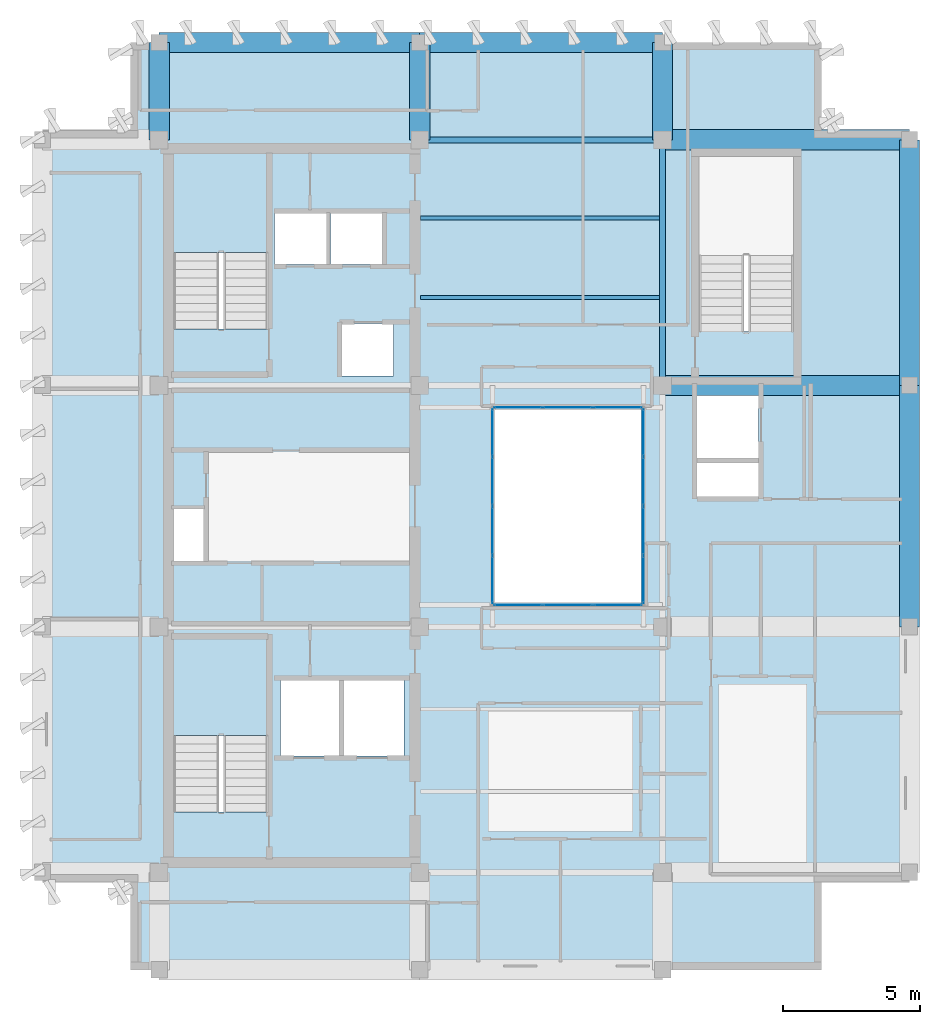
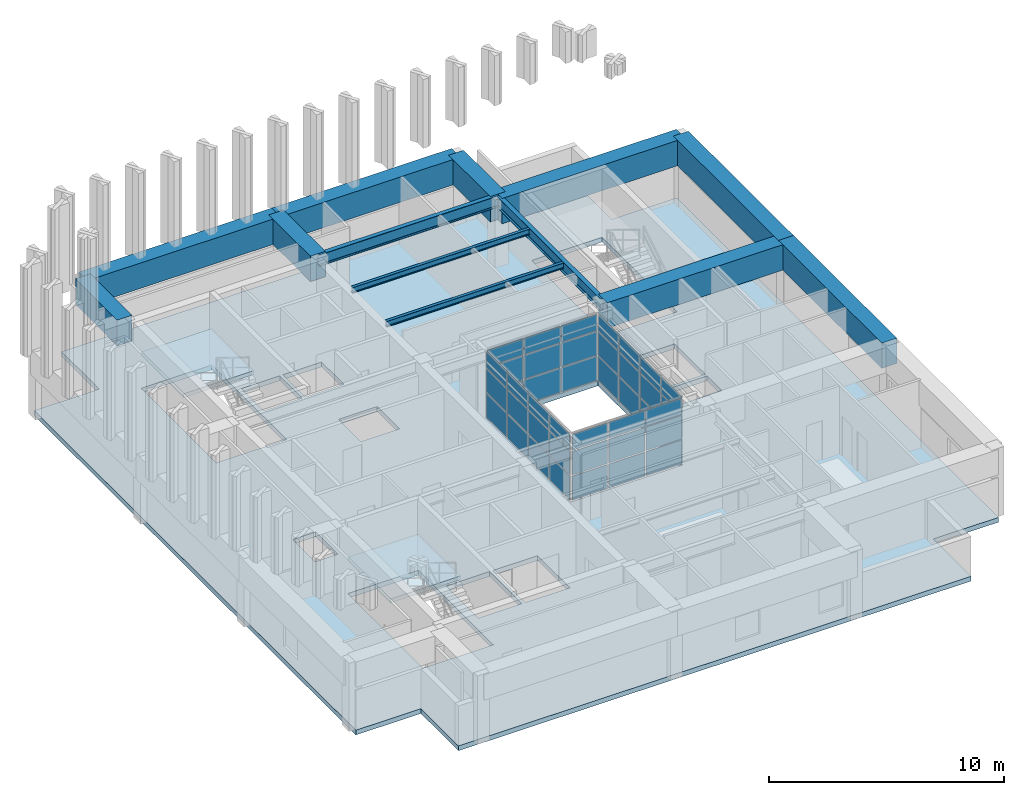
# One storey, part 5 of 11: 42 plates, 13 beams, 3 slabs, 6 elements without a shape of their own.
"""IFC4 building model written with IfcOpenShell, lengths in metres."""

from ifc_helpers import new_model, si_unit, direction, frame, origin, origin_2d, place, context, subcontext, project, spatial, polyline, rectangle, i_section, outline, extrude, material, layer, layer_set, material_profile, profile_set, type_object, element, aggregate, save


model = new_model("IFC4")

# Units and contexts
model_context = context("Model", 3, precision=1e-05, world=origin(), true_north=direction((0.0, 1.0)))
body_context = subcontext(model_context, "Body", "Model", "MODEL_VIEW")
ifc_project = project(units=[si_unit("LENGTHUNIT", "METRE"), si_unit("AREAUNIT", "SQUARE_METRE"), si_unit("VOLUMEUNIT", "CUBIC_METRE"), si_unit("PLANEANGLEUNIT", "RADIAN"), si_unit("MASSUNIT", "GRAM", prefix="KILO")], contexts=[model_context])

# Site, building, storey
site_placement = place(None, origin())
site = spatial("IfcSite", under=ifc_project, at=site_placement, CompositionType="ELEMENT")
building_placement = place(site_placement, origin())
building = spatial("IfcBuilding", under=site, at=building_placement, Name="Kundavana Baori Tower", CompositionType="ELEMENT")
storey_placement = place(building_placement, frame((0.0, 0.0, 346.699951171875)))
storey = spatial("IfcBuildingStorey", under=building, at=storey_placement, Name="L86", CompositionType="ELEMENT", Elevation=346.699951171875)

# Beams
ifc_material_1 = material(Name="Structural Steel S355JR", Category="steel")
ifc_material_profile_1 = material_profile(ifc_material_1, i_section(OverallWidth=0.139892578125, OverallDepth=0.300048828125, WebThickness=0.0078125, FlangeThickness=0.01318359375, FilletRadius=0.013916015625, at=origin_2d()), Name="ISMB 300")
ifc_profile_set_1 = profile_set([ifc_material_profile_1], Name="Structural Steel S355JR")
beam_type_1 = type_object("IfcBeamType", Name="BM-RF-300", PredefinedType="BEAM", material=ifc_profile_set_1)
for number, where, z_axis, x_axis, name in (
    (1, (24.97998046875, 36.199951171875, 3.400146484375), (1.0, 0.0, 0.0), (0.0, 1.0, 0.0), "L86 Central Bay Composite Floor Joist C3"),
    (2, (24.97998046875, 39.10009765625, 3.400146484375), (1.0, 0.0, 0.0), (0.0, 1.0, 0.0), "L86 Central Bay Composite Floor Joist C4"),
):
    element("IfcBeam", number, at=place(storey_placement, frame(where, z_axis=z_axis, x_axis=x_axis)), inside=storey, type_object=beam_type_1, Name=name, PredefinedType="BEAM", context=body_context, shape_type="SweptSolid", body=[
        extrude(i_section(OverallWidth=0.139892578125, OverallDepth=0.300048828125, WebThickness=0.0078125, FlangeThickness=0.01318359375, FilletRadius=0.013916015625, at=origin_2d()), origin(), (0.0, 0.0, 1.0), 8.715087890625),
    ])
ifc_material_2 = material(Name="Structural Steel S355JR", Category="steel")
ifc_material_profile_2 = material_profile(ifc_material_2, i_section(OverallWidth=0.2099609375, OverallDepth=0.60009765625, WebThickness=0.011962890625, FlangeThickness=0.020751953125, FilletRadius=0.02001953125, at=origin_2d()), Name="ISMB 600")
ifc_profile_set_2 = profile_set([ifc_material_profile_2], Name="Structural Steel S355JR")
beam_type_2 = type_object("IfcBeamType", Name="BM-ST-600", PredefinedType="BEAM", material=ifc_profile_set_2)
beam_1_placement = place(storey_placement, frame((24.949951171875, 41.949951171875, 3.25), z_axis=(1.0, 0.0, 0.0), x_axis=(0.0, 1.0, 0.0)))
element("IfcBeam", 3, at=beam_1_placement, inside=storey, type_object=beam_type_2, Name="L86 Primary Grid Girder GX-4-2", PredefinedType="BEAM", context=body_context, shape_type="SweptSolid", body=[
    extrude(i_section(OverallWidth=0.2099609375, OverallDepth=0.60009765625, WebThickness=0.011962890625, FlangeThickness=0.020751953125, FilletRadius=0.02001953125, at=origin_2d()), origin(), (0.0, 0.0, 1.0), 8.85009765625),
])
beam_2_placement = place(storey_placement, frame((33.800048828125, 33.0, 3.25), z_axis=(0.0, 1.0, 0.0), x_axis=(-1.0, 0.0, 0.0)))
element("IfcBeam", 4, at=beam_2_placement, inside=storey, type_object=beam_type_2, Name="L86 Primary Grid Girder GY-3-3", PredefinedType="BEAM", context=body_context, shape_type="SweptSolid", body=[
    extrude(i_section(OverallWidth=0.2099609375, OverallDepth=0.60009765625, WebThickness=0.011962890625, FlangeThickness=0.020751953125, FilletRadius=0.02001953125, at=origin_2d()), origin(), (0.0, 0.0, 1.0), 8.949951171875),
])
ifc_material_3 = material(Name="Concrete C50/60", Category="concrete")
ifc_material_profile_3 = material_profile(ifc_material_3, rectangle(XDim=0.739990234375, YDim=1.320068359375, at=origin_2d()), Name="BM-TG-5")
ifc_profile_set_3 = profile_set([ifc_material_profile_3], Name="Concrete C50/60")
beam_type_3 = type_object("IfcBeamType", Name="BM-TG-5", PredefinedType="USERDEFINED", material=ifc_profile_set_3)
beam_3_placement = place(storey_placement, frame((15.449951171875, 45.5, 2.89013671875), z_axis=(1.0, 0.0, 0.0), x_axis=(0.0, 1.0, 0.0)))
element("IfcBeam", 5, at=beam_3_placement, inside=storey, type_object=beam_type_3, Name="L86 Perimeter Frame Ring Beam N1", ObjectType="TRANSFER GIRDER", PredefinedType="USERDEFINED", context=body_context, shape_type="SweptSolid", body=[
    extrude(rectangle(XDim=0.739990234375, YDim=1.320068359375, at=origin_2d()), origin(), (0.0, 0.0, 1.0), 9.5),
])
beam_4_placement = place(storey_placement, frame((24.949951171875, 45.5, 2.89013671875), z_axis=(1.0, 0.0, 0.0), x_axis=(0.0, 1.0, 0.0)))
element("IfcBeam", 6, at=beam_4_placement, inside=storey, type_object=beam_type_3, Name="L86 Perimeter Frame Ring Beam N2", ObjectType="TRANSFER GIRDER", PredefinedType="USERDEFINED", context=body_context, shape_type="SweptSolid", body=[
    extrude(rectangle(XDim=0.739990234375, YDim=1.320068359375, at=origin_2d()), origin(), (0.0, 0.0, 1.0), 8.85009765625),
])
beam_5_placement = place(storey_placement, frame((42.800048828125, 24.199951171875, 2.89013671875), z_axis=(0.0, 1.0, 0.0), x_axis=(-1.0, 0.0, 0.0)))
element("IfcBeam", 7, at=beam_5_placement, inside=storey, type_object=beam_type_3, Name="L86 Perimeter Frame Ring Beam E2", ObjectType="TRANSFER GIRDER", PredefinedType="USERDEFINED", context=body_context, shape_type="SweptSolid", body=[
    extrude(rectangle(XDim=0.739990234375, YDim=1.320068359375, at=origin_2d()), origin(), (0.0, 0.0, 1.0), 8.800048828125),
])
beam_6_placement = place(storey_placement, frame((42.800048828125, 33.0, 2.89013671875), z_axis=(0.0, 1.0, 0.0), x_axis=(-1.0, 0.0, 0.0)))
element("IfcBeam", 8, at=beam_6_placement, inside=storey, type_object=beam_type_3, Name="L86 Perimeter Frame Ring Beam E3", ObjectType="TRANSFER GIRDER", PredefinedType="USERDEFINED", context=body_context, shape_type="SweptSolid", body=[
    extrude(rectangle(XDim=0.739990234375, YDim=1.320068359375, at=origin_2d()), origin(), (0.0, 0.0, 1.0), 8.949951171875),
])
for number, where, z_axis, x_axis, name in (
    (9, (15.449951171875, 41.949951171875, 2.89013671875), (0.0, 1.0, 0.0), (-1.0, 0.0, 0.0), "L86 North Radial Transfer Girder N1"),
    (10, (24.949951171875, 41.949951171875, 2.89013671875), (0.0, 1.0, 0.0), (-1.0, 0.0, 0.0), "L86 North Radial Transfer Girder N2"),
    (11, (33.800048828125, 41.949951171875, 2.89013671875), (0.0, 1.0, 0.0), (-1.0, 0.0, 0.0), "L86 North Radial Transfer Girder N3"),
):
    element("IfcBeam", number, at=place(storey_placement, frame(where, z_axis=z_axis, x_axis=x_axis)), inside=storey, type_object=beam_type_3, Name=name, ObjectType="TRANSFER GIRDER", PredefinedType="USERDEFINED", context=body_context, shape_type="SweptSolid", body=[
        extrude(rectangle(XDim=0.739990234375, YDim=1.320068359375, at=origin_2d()), origin(), (0.0, 0.0, 1.0), 3.550048828125),
    ])
for number, where, z_axis, x_axis, name in (
    (12, (33.800048828125, 33.0, 2.89013671875), (1.0, 0.0, 0.0), (0.0, 1.0, 0.0), "L86 East Radial Transfer Girder E3"),
    (13, (33.800048828125, 41.949951171875, 2.89013671875), (1.0, 0.0, 0.0), (0.0, 1.0, 0.0), "L86 East Radial Transfer Girder E4"),
):
    element("IfcBeam", number, at=place(storey_placement, frame(where, z_axis=z_axis, x_axis=x_axis)), inside=storey, type_object=beam_type_3, Name=name, ObjectType="TRANSFER GIRDER", PredefinedType="USERDEFINED", context=body_context, shape_type="SweptSolid", body=[
        extrude(rectangle(XDim=0.739990234375, YDim=1.320068359375, at=origin_2d()), origin(), (0.0, 0.0, 1.0), 9.0),
    ])

# Curtain wall, plates
ifc_material_4 = material(Name="Thermally Broken Anodised Aluminium Framing", Category="aluminium")
ifc_layer_1 = layer(ifc_material_4, 0.235107421875, Name="CW-SYS-6")
ifc_layer_set_1 = layer_set([ifc_layer_1], Name="Thermally Broken Anodised Aluminium Framing")
curtain_wall_type = type_object("IfcCurtainWallType", Name="CW-SYS-6", PredefinedType="NOTDEFINED", material=ifc_layer_set_1)
curtain_wall_1_placement = place(storey_placement, origin())
curtain_wall_1 = element("IfcCurtainWall", 14, at=curtain_wall_1_placement, inside=storey, type_object=curtain_wall_type, Name="L86 Atrium Glazed Curtain Wall S", PredefinedType="NOTDEFINED")
ifc_material_5 = material(Name="Double-Glazed Solar-Control Low-E Insulated Glass", Category="glass")
ifc_layer_2 = layer(ifc_material_5, 0.028076171875, Name="CW-PNL-GLS28")
ifc_layer_set_2 = layer_set([ifc_layer_2], Name="Double-Glazed Solar-Control Low-E Insulated Glass")
plate_type = type_object("IfcPlateType", Name="CW-PNL-GLS28", PredefinedType="CURTAIN_PANEL", material=ifc_layer_set_2)
plate_1_placement = place(storey_placement, frame((28.532958984375, 25.0, 0.065185546875), z_axis=(0.0, 0.0, 1.0), x_axis=(1.0, 0.0, 0.0)))
plate_1 = element("IfcPlate", 15, at=plate_1_placement, type_object=plate_type, Name="CW6 panel 1.1", PredefinedType="CURTAIN_PANEL", context=body_context, shape_type="SweptSolid", body=[
    extrude(rectangle(XDim=1.73583984375, YDim=0.028076171875, at=origin_2d()), origin(), (0.0, 0.0, 1.0), 1.25146484375),
])
plate_2_placement = place(storey_placement, frame((28.532958984375, 25.0, 1.381591796875), z_axis=(0.0, 0.0, 1.0), x_axis=(1.0, 0.0, 0.0)))
plate_2 = element("IfcPlate", 16, at=plate_2_placement, type_object=plate_type, Name="CW6 panel 1.2", PredefinedType="CURTAIN_PANEL", context=body_context, shape_type="SweptSolid", body=[
    extrude(rectangle(XDim=1.73583984375, YDim=0.028076171875, at=origin_2d()), origin(), (0.0, 0.0, 1.0), 1.212890625),
])
plate_3_placement = place(storey_placement, frame((28.532958984375, 25.0, 2.65966796875), z_axis=(0.0, 0.0, 1.0), x_axis=(1.0, 0.0, 0.0)))
plate_3 = element("IfcPlate", 17, at=plate_3_placement, type_object=plate_type, Name="CW6 panel 1.3", PredefinedType="CURTAIN_PANEL", context=body_context, shape_type="SweptSolid", body=[
    extrude(rectangle(XDim=1.73583984375, YDim=0.028076171875, at=origin_2d()), origin(), (0.0, 0.0, 1.0), 0.825439453125),
])
plate_4_placement = place(storey_placement, frame((30.35009765625, 25.0, 0.065185546875), z_axis=(0.0, 0.0, 1.0), x_axis=(1.0, 0.0, 0.0)))
plate_4 = element("IfcPlate", 18, at=plate_4_placement, type_object=plate_type, Name="CW6 panel 2.1", PredefinedType="CURTAIN_PANEL", context=body_context, shape_type="SweptSolid", body=[
    extrude(rectangle(XDim=1.768310546875, YDim=0.028076171875, at=origin_2d()), origin(), (0.0, 0.0, 1.0), 1.25146484375),
])
plate_5_placement = place(storey_placement, frame((30.35009765625, 25.0, 1.381591796875), z_axis=(0.0, 0.0, 1.0), x_axis=(1.0, 0.0, 0.0)))
plate_5 = element("IfcPlate", 19, at=plate_5_placement, type_object=plate_type, Name="CW6 panel 2.2", PredefinedType="CURTAIN_PANEL", context=body_context, shape_type="SweptSolid", body=[
    extrude(rectangle(XDim=1.768310546875, YDim=0.028076171875, at=origin_2d()), origin(), (0.0, 0.0, 1.0), 1.212890625),
])
plate_6_placement = place(storey_placement, frame((30.35009765625, 25.0, 2.65966796875), z_axis=(0.0, 0.0, 1.0), x_axis=(1.0, 0.0, 0.0)))
plate_6 = element("IfcPlate", 20, at=plate_6_placement, type_object=plate_type, Name="CW6 panel 2.3", PredefinedType="CURTAIN_PANEL", context=body_context, shape_type="SweptSolid", body=[
    extrude(rectangle(XDim=1.768310546875, YDim=0.028076171875, at=origin_2d()), origin(), (0.0, 0.0, 1.0), 0.825439453125),
])
plate_7_placement = place(storey_placement, frame((32.1669921875, 25.0, 0.065185546875), z_axis=(0.0, 0.0, 1.0), x_axis=(1.0, 0.0, 0.0)))
plate_7 = element("IfcPlate", 21, at=plate_7_placement, type_object=plate_type, Name="CW6 panel 3.1", PredefinedType="CURTAIN_PANEL", context=body_context, shape_type="SweptSolid", body=[
    extrude(rectangle(XDim=1.73583984375, YDim=0.028076171875, at=origin_2d()), origin(), (0.0, 0.0, 1.0), 1.25146484375),
])
plate_8_placement = place(storey_placement, frame((32.1669921875, 25.0, 1.381591796875), z_axis=(0.0, 0.0, 1.0), x_axis=(1.0, 0.0, 0.0)))
plate_8 = element("IfcPlate", 22, at=plate_8_placement, type_object=plate_type, Name="CW6 panel 3.2", PredefinedType="CURTAIN_PANEL", context=body_context, shape_type="SweptSolid", body=[
    extrude(rectangle(XDim=1.73583984375, YDim=0.028076171875, at=origin_2d()), origin(), (0.0, 0.0, 1.0), 1.212890625),
])
plate_9_placement = place(storey_placement, frame((32.1669921875, 25.0, 2.65966796875), z_axis=(0.0, 0.0, 1.0), x_axis=(1.0, 0.0, 0.0)))
plate_9 = element("IfcPlate", 23, at=plate_9_placement, type_object=plate_type, Name="CW6 panel 3.3", PredefinedType="CURTAIN_PANEL", context=body_context, shape_type="SweptSolid", body=[
    extrude(rectangle(XDim=1.73583984375, YDim=0.028076171875, at=origin_2d()), origin(), (0.0, 0.0, 1.0), 0.825439453125),
])
aggregate(curtain_wall_1, [plate_1, plate_2, plate_3, plate_4, plate_5, plate_6, plate_7, plate_8, plate_9])

curtain_wall_2_placement = place(storey_placement, origin())
curtain_wall_2 = element("IfcCurtainWall", 24, at=curtain_wall_2_placement, inside=storey, type_object=curtain_wall_type, Name="L86 Atrium Glazed Curtain Wall E", PredefinedType="NOTDEFINED")
plate_10_placement = place(storey_placement, frame((33.10009765625, 25.916259765625, 0.065185546875), z_axis=(0.0, 0.0, 1.0), x_axis=(0.0, 1.0, 0.0)))
plate_10 = element("IfcPlate", 25, at=plate_10_placement, type_object=plate_type, Name="CW6 panel 1.1", PredefinedType="CURTAIN_PANEL", context=body_context, shape_type="SweptSolid", body=[
    extrude(rectangle(XDim=1.702392578125, YDim=0.028076171875, at=origin_2d()), origin(), (0.0, 0.0, 1.0), 1.25146484375),
])
plate_11_placement = place(storey_placement, frame((33.10009765625, 25.916259765625, 1.381591796875), z_axis=(0.0, 0.0, 1.0), x_axis=(0.0, 1.0, 0.0)))
plate_11 = element("IfcPlate", 26, at=plate_11_placement, type_object=plate_type, Name="CW6 panel 1.2", PredefinedType="CURTAIN_PANEL", context=body_context, shape_type="SweptSolid", body=[
    extrude(rectangle(XDim=1.702392578125, YDim=0.028076171875, at=origin_2d()), origin(), (0.0, 0.0, 1.0), 1.212890625),
])
plate_12_placement = place(storey_placement, frame((33.10009765625, 25.916259765625, 2.65966796875), z_axis=(0.0, 0.0, 1.0), x_axis=(0.0, 1.0, 0.0)))
plate_12 = element("IfcPlate", 27, at=plate_12_placement, type_object=plate_type, Name="CW6 panel 1.3", PredefinedType="CURTAIN_PANEL", context=body_context, shape_type="SweptSolid", body=[
    extrude(rectangle(XDim=1.702392578125, YDim=0.028076171875, at=origin_2d()), origin(), (0.0, 0.0, 1.0), 0.825439453125),
])
plate_13_placement = place(storey_placement, frame((33.10009765625, 27.699951171875, 0.065185546875), z_axis=(0.0, 0.0, 1.0), x_axis=(0.0, 1.0, 0.0)))
plate_13 = element("IfcPlate", 28, at=plate_13_placement, type_object=plate_type, Name="CW6 panel 2.1", PredefinedType="CURTAIN_PANEL", context=body_context, shape_type="SweptSolid", body=[
    extrude(rectangle(XDim=1.735107421875, YDim=0.028076171875, at=origin_2d()), origin(), (0.0, 0.0, 1.0), 1.25146484375),
])
plate_14_placement = place(storey_placement, frame((33.10009765625, 27.699951171875, 1.381591796875), z_axis=(0.0, 0.0, 1.0), x_axis=(0.0, 1.0, 0.0)))
plate_14 = element("IfcPlate", 29, at=plate_14_placement, type_object=plate_type, Name="CW6 panel 2.2", PredefinedType="CURTAIN_PANEL", context=body_context, shape_type="SweptSolid", body=[
    extrude(rectangle(XDim=1.735107421875, YDim=0.028076171875, at=origin_2d()), origin(), (0.0, 0.0, 1.0), 1.212890625),
])
plate_15_placement = place(storey_placement, frame((33.10009765625, 27.699951171875, 2.65966796875), z_axis=(0.0, 0.0, 1.0), x_axis=(0.0, 1.0, 0.0)))
plate_15 = element("IfcPlate", 30, at=plate_15_placement, type_object=plate_type, Name="CW6 panel 2.3", PredefinedType="CURTAIN_PANEL", context=body_context, shape_type="SweptSolid", body=[
    extrude(rectangle(XDim=1.735107421875, YDim=0.028076171875, at=origin_2d()), origin(), (0.0, 0.0, 1.0), 0.825439453125),
])
plate_16_placement = place(storey_placement, frame((33.10009765625, 29.5, 0.065185546875), z_axis=(0.0, 0.0, 1.0), x_axis=(0.0, 1.0, 0.0)))
plate_16 = element("IfcPlate", 31, at=plate_16_placement, type_object=plate_type, Name="CW6 panel 3.1", PredefinedType="CURTAIN_PANEL", context=body_context, shape_type="SweptSolid", body=[
    extrude(rectangle(XDim=1.735107421875, YDim=0.028076171875, at=origin_2d()), origin(), (0.0, 0.0, 1.0), 1.25146484375),
])
plate_17_placement = place(storey_placement, frame((33.10009765625, 29.5, 1.381591796875), z_axis=(0.0, 0.0, 1.0), x_axis=(0.0, 1.0, 0.0)))
plate_17 = element("IfcPlate", 32, at=plate_17_placement, type_object=plate_type, Name="CW6 panel 3.2", PredefinedType="CURTAIN_PANEL", context=body_context, shape_type="SweptSolid", body=[
    extrude(rectangle(XDim=1.735107421875, YDim=0.028076171875, at=origin_2d()), origin(), (0.0, 0.0, 1.0), 1.212890625),
])
plate_18_placement = place(storey_placement, frame((33.10009765625, 29.5, 2.65966796875), z_axis=(0.0, 0.0, 1.0), x_axis=(0.0, 1.0, 0.0)))
plate_18 = element("IfcPlate", 33, at=plate_18_placement, type_object=plate_type, Name="CW6 panel 3.3", PredefinedType="CURTAIN_PANEL", context=body_context, shape_type="SweptSolid", body=[
    extrude(rectangle(XDim=1.735107421875, YDim=0.028076171875, at=origin_2d()), origin(), (0.0, 0.0, 1.0), 0.825439453125),
])
plate_19_placement = place(storey_placement, frame((33.10009765625, 31.28369140625, 0.065185546875), z_axis=(0.0, 0.0, 1.0), x_axis=(0.0, 1.0, 0.0)))
plate_19 = element("IfcPlate", 34, at=plate_19_placement, type_object=plate_type, Name="CW6 panel 4.1", PredefinedType="CURTAIN_PANEL", context=body_context, shape_type="SweptSolid", body=[
    extrude(rectangle(XDim=1.702392578125, YDim=0.028076171875, at=origin_2d()), origin(), (0.0, 0.0, 1.0), 1.25146484375),
])
plate_20_placement = place(storey_placement, frame((33.10009765625, 31.28369140625, 1.381591796875), z_axis=(0.0, 0.0, 1.0), x_axis=(0.0, 1.0, 0.0)))
plate_20 = element("IfcPlate", 35, at=plate_20_placement, type_object=plate_type, Name="CW6 panel 4.2", PredefinedType="CURTAIN_PANEL", context=body_context, shape_type="SweptSolid", body=[
    extrude(rectangle(XDim=1.702392578125, YDim=0.028076171875, at=origin_2d()), origin(), (0.0, 0.0, 1.0), 1.212890625),
])
plate_21_placement = place(storey_placement, frame((33.10009765625, 31.28369140625, 2.65966796875), z_axis=(0.0, 0.0, 1.0), x_axis=(0.0, 1.0, 0.0)))
plate_21 = element("IfcPlate", 36, at=plate_21_placement, type_object=plate_type, Name="CW6 panel 4.3", PredefinedType="CURTAIN_PANEL", context=body_context, shape_type="SweptSolid", body=[
    extrude(rectangle(XDim=1.702392578125, YDim=0.028076171875, at=origin_2d()), origin(), (0.0, 0.0, 1.0), 0.825439453125),
])
aggregate(curtain_wall_2, [plate_10, plate_11, plate_12, plate_13, plate_14, plate_15, plate_16, plate_17, plate_18, plate_19, plate_20, plate_21])

curtain_wall_3_placement = place(storey_placement, origin())
curtain_wall_3 = element("IfcCurtainWall", 37, at=curtain_wall_3_placement, inside=storey, type_object=curtain_wall_type, Name="L86 Atrium Glazed Curtain Wall N", PredefinedType="NOTDEFINED")
plate_22_placement = place(storey_placement, frame((32.1669921875, 32.199951171875, 0.065185546875), z_axis=(0.0, 0.0, 1.0), x_axis=(-1.0, 0.0, 0.0)))
plate_22 = element("IfcPlate", 38, at=plate_22_placement, type_object=plate_type, Name="CW6 panel 1.1", PredefinedType="CURTAIN_PANEL", context=body_context, shape_type="SweptSolid", body=[
    extrude(rectangle(XDim=1.73583984375, YDim=0.028076171875, at=origin_2d()), origin(), (0.0, 0.0, 1.0), 1.25146484375),
])
plate_23_placement = place(storey_placement, frame((32.1669921875, 32.199951171875, 1.381591796875), z_axis=(0.0, 0.0, 1.0), x_axis=(-1.0, 0.0, 0.0)))
plate_23 = element("IfcPlate", 39, at=plate_23_placement, type_object=plate_type, Name="CW6 panel 1.2", PredefinedType="CURTAIN_PANEL", context=body_context, shape_type="SweptSolid", body=[
    extrude(rectangle(XDim=1.73583984375, YDim=0.028076171875, at=origin_2d()), origin(), (0.0, 0.0, 1.0), 1.212890625),
])
plate_24_placement = place(storey_placement, frame((32.1669921875, 32.199951171875, 2.65966796875), z_axis=(0.0, 0.0, 1.0), x_axis=(-1.0, 0.0, 0.0)))
plate_24 = element("IfcPlate", 40, at=plate_24_placement, type_object=plate_type, Name="CW6 panel 1.3", PredefinedType="CURTAIN_PANEL", context=body_context, shape_type="SweptSolid", body=[
    extrude(rectangle(XDim=1.73583984375, YDim=0.028076171875, at=origin_2d()), origin(), (0.0, 0.0, 1.0), 0.825439453125),
])
plate_25_placement = place(storey_placement, frame((30.35009765625, 32.199951171875, 0.065185546875), z_axis=(0.0, 0.0, 1.0), x_axis=(-1.0, 0.0, 0.0)))
plate_25 = element("IfcPlate", 41, at=plate_25_placement, type_object=plate_type, Name="CW6 panel 2.1", PredefinedType="CURTAIN_PANEL", context=body_context, shape_type="SweptSolid", body=[
    extrude(rectangle(XDim=1.768310546875, YDim=0.028076171875, at=origin_2d()), origin(), (0.0, 0.0, 1.0), 1.25146484375),
])
plate_26_placement = place(storey_placement, frame((30.35009765625, 32.199951171875, 1.381591796875), z_axis=(0.0, 0.0, 1.0), x_axis=(-1.0, 0.0, 0.0)))
plate_26 = element("IfcPlate", 42, at=plate_26_placement, type_object=plate_type, Name="CW6 panel 2.2", PredefinedType="CURTAIN_PANEL", context=body_context, shape_type="SweptSolid", body=[
    extrude(rectangle(XDim=1.768310546875, YDim=0.028076171875, at=origin_2d()), origin(), (0.0, 0.0, 1.0), 1.212890625),
])
plate_27_placement = place(storey_placement, frame((30.35009765625, 32.199951171875, 2.65966796875), z_axis=(0.0, 0.0, 1.0), x_axis=(-1.0, 0.0, 0.0)))
plate_27 = element("IfcPlate", 43, at=plate_27_placement, type_object=plate_type, Name="CW6 panel 2.3", PredefinedType="CURTAIN_PANEL", context=body_context, shape_type="SweptSolid", body=[
    extrude(rectangle(XDim=1.768310546875, YDim=0.028076171875, at=origin_2d()), origin(), (0.0, 0.0, 1.0), 0.825439453125),
])
plate_28_placement = place(storey_placement, frame((28.532958984375, 32.199951171875, 0.065185546875), z_axis=(0.0, 0.0, 1.0), x_axis=(-1.0, 0.0, 0.0)))
plate_28 = element("IfcPlate", 44, at=plate_28_placement, type_object=plate_type, Name="CW6 panel 3.1", PredefinedType="CURTAIN_PANEL", context=body_context, shape_type="SweptSolid", body=[
    extrude(rectangle(XDim=1.73583984375, YDim=0.028076171875, at=origin_2d()), origin(), (0.0, 0.0, 1.0), 1.25146484375),
])
plate_29_placement = place(storey_placement, frame((28.532958984375, 32.199951171875, 1.381591796875), z_axis=(0.0, 0.0, 1.0), x_axis=(-1.0, 0.0, 0.0)))
plate_29 = element("IfcPlate", 45, at=plate_29_placement, type_object=plate_type, Name="CW6 panel 3.2", PredefinedType="CURTAIN_PANEL", context=body_context, shape_type="SweptSolid", body=[
    extrude(rectangle(XDim=1.73583984375, YDim=0.028076171875, at=origin_2d()), origin(), (0.0, 0.0, 1.0), 1.212890625),
])
plate_30_placement = place(storey_placement, frame((28.532958984375, 32.199951171875, 2.65966796875), z_axis=(0.0, 0.0, 1.0), x_axis=(-1.0, 0.0, 0.0)))
plate_30 = element("IfcPlate", 46, at=plate_30_placement, type_object=plate_type, Name="CW6 panel 3.3", PredefinedType="CURTAIN_PANEL", context=body_context, shape_type="SweptSolid", body=[
    extrude(rectangle(XDim=1.73583984375, YDim=0.028076171875, at=origin_2d()), origin(), (0.0, 0.0, 1.0), 0.825439453125),
])
aggregate(curtain_wall_3, [plate_22, plate_23, plate_24, plate_25, plate_26, plate_27, plate_28, plate_29, plate_30])

curtain_wall_4_placement = place(storey_placement, origin())
curtain_wall_4 = element("IfcCurtainWall", 47, at=curtain_wall_4_placement, inside=storey, type_object=curtain_wall_type, Name="L86 Atrium Glazed Curtain Wall W", PredefinedType="NOTDEFINED")
plate_31_placement = place(storey_placement, frame((27.60009765625, 31.28369140625, 0.065185546875), z_axis=(0.0, 0.0, 1.0), x_axis=(0.0, -1.0, 0.0)))
plate_31 = element("IfcPlate", 48, at=plate_31_placement, type_object=plate_type, Name="CW6 panel 1.1", PredefinedType="CURTAIN_PANEL", context=body_context, shape_type="SweptSolid", body=[
    extrude(rectangle(XDim=1.702392578125, YDim=0.028076171875, at=origin_2d()), origin(), (0.0, 0.0, 1.0), 1.25146484375),
])
plate_32_placement = place(storey_placement, frame((27.60009765625, 31.28369140625, 1.381591796875), z_axis=(0.0, 0.0, 1.0), x_axis=(0.0, -1.0, 0.0)))
plate_32 = element("IfcPlate", 49, at=plate_32_placement, type_object=plate_type, Name="CW6 panel 1.2", PredefinedType="CURTAIN_PANEL", context=body_context, shape_type="SweptSolid", body=[
    extrude(rectangle(XDim=1.702392578125, YDim=0.028076171875, at=origin_2d()), origin(), (0.0, 0.0, 1.0), 1.212890625),
])
plate_33_placement = place(storey_placement, frame((27.60009765625, 31.28369140625, 2.65966796875), z_axis=(0.0, 0.0, 1.0), x_axis=(0.0, -1.0, 0.0)))
plate_33 = element("IfcPlate", 50, at=plate_33_placement, type_object=plate_type, Name="CW6 panel 1.3", PredefinedType="CURTAIN_PANEL", context=body_context, shape_type="SweptSolid", body=[
    extrude(rectangle(XDim=1.702392578125, YDim=0.028076171875, at=origin_2d()), origin(), (0.0, 0.0, 1.0), 0.825439453125),
])
plate_34_placement = place(storey_placement, frame((27.60009765625, 29.5, 0.065185546875), z_axis=(0.0, 0.0, 1.0), x_axis=(0.0, -1.0, 0.0)))
plate_34 = element("IfcPlate", 51, at=plate_34_placement, type_object=plate_type, Name="CW6 panel 2.1", PredefinedType="CURTAIN_PANEL", context=body_context, shape_type="SweptSolid", body=[
    extrude(rectangle(XDim=1.735107421875, YDim=0.028076171875, at=origin_2d()), origin(), (0.0, 0.0, 1.0), 1.25146484375),
])
plate_35_placement = place(storey_placement, frame((27.60009765625, 29.5, 1.381591796875), z_axis=(0.0, 0.0, 1.0), x_axis=(0.0, -1.0, 0.0)))
plate_35 = element("IfcPlate", 52, at=plate_35_placement, type_object=plate_type, Name="CW6 panel 2.2", PredefinedType="CURTAIN_PANEL", context=body_context, shape_type="SweptSolid", body=[
    extrude(rectangle(XDim=1.735107421875, YDim=0.028076171875, at=origin_2d()), origin(), (0.0, 0.0, 1.0), 1.212890625),
])
plate_36_placement = place(storey_placement, frame((27.60009765625, 29.5, 2.65966796875), z_axis=(0.0, 0.0, 1.0), x_axis=(0.0, -1.0, 0.0)))
plate_36 = element("IfcPlate", 53, at=plate_36_placement, type_object=plate_type, Name="CW6 panel 2.3", PredefinedType="CURTAIN_PANEL", context=body_context, shape_type="SweptSolid", body=[
    extrude(rectangle(XDim=1.735107421875, YDim=0.028076171875, at=origin_2d()), origin(), (0.0, 0.0, 1.0), 0.825439453125),
])
plate_37_placement = place(storey_placement, frame((27.60009765625, 27.699951171875, 0.065185546875), z_axis=(0.0, 0.0, 1.0), x_axis=(0.0, -1.0, 0.0)))
plate_37 = element("IfcPlate", 54, at=plate_37_placement, type_object=plate_type, Name="CW6 panel 3.1", PredefinedType="CURTAIN_PANEL", context=body_context, shape_type="SweptSolid", body=[
    extrude(rectangle(XDim=1.735107421875, YDim=0.028076171875, at=origin_2d()), origin(), (0.0, 0.0, 1.0), 1.25146484375),
])
plate_38_placement = place(storey_placement, frame((27.60009765625, 27.699951171875, 1.381591796875), z_axis=(0.0, 0.0, 1.0), x_axis=(0.0, -1.0, 0.0)))
plate_38 = element("IfcPlate", 55, at=plate_38_placement, type_object=plate_type, Name="CW6 panel 3.2", PredefinedType="CURTAIN_PANEL", context=body_context, shape_type="SweptSolid", body=[
    extrude(rectangle(XDim=1.735107421875, YDim=0.028076171875, at=origin_2d()), origin(), (0.0, 0.0, 1.0), 1.212890625),
])
plate_39_placement = place(storey_placement, frame((27.60009765625, 27.699951171875, 2.65966796875), z_axis=(0.0, 0.0, 1.0), x_axis=(0.0, -1.0, 0.0)))
plate_39 = element("IfcPlate", 56, at=plate_39_placement, type_object=plate_type, Name="CW6 panel 3.3", PredefinedType="CURTAIN_PANEL", context=body_context, shape_type="SweptSolid", body=[
    extrude(rectangle(XDim=1.735107421875, YDim=0.028076171875, at=origin_2d()), origin(), (0.0, 0.0, 1.0), 0.825439453125),
])
plate_40_placement = place(storey_placement, frame((27.60009765625, 25.916259765625, 0.065185546875), z_axis=(0.0, 0.0, 1.0), x_axis=(0.0, -1.0, 0.0)))
plate_40 = element("IfcPlate", 57, at=plate_40_placement, type_object=plate_type, Name="CW6 panel 4.1", PredefinedType="CURTAIN_PANEL", context=body_context, shape_type="SweptSolid", body=[
    extrude(rectangle(XDim=1.702392578125, YDim=0.028076171875, at=origin_2d()), origin(), (0.0, 0.0, 1.0), 1.25146484375),
])
plate_41_placement = place(storey_placement, frame((27.60009765625, 25.916259765625, 1.381591796875), z_axis=(0.0, 0.0, 1.0), x_axis=(0.0, -1.0, 0.0)))
plate_41 = element("IfcPlate", 58, at=plate_41_placement, type_object=plate_type, Name="CW6 panel 4.2", PredefinedType="CURTAIN_PANEL", context=body_context, shape_type="SweptSolid", body=[
    extrude(rectangle(XDim=1.702392578125, YDim=0.028076171875, at=origin_2d()), origin(), (0.0, 0.0, 1.0), 1.212890625),
])
plate_42_placement = place(storey_placement, frame((27.60009765625, 25.916259765625, 2.65966796875), z_axis=(0.0, 0.0, 1.0), x_axis=(0.0, -1.0, 0.0)))
plate_42 = element("IfcPlate", 59, at=plate_42_placement, type_object=plate_type, Name="CW6 panel 4.3", PredefinedType="CURTAIN_PANEL", context=body_context, shape_type="SweptSolid", body=[
    extrude(rectangle(XDim=1.702392578125, YDim=0.028076171875, at=origin_2d()), origin(), (0.0, 0.0, 1.0), 0.825439453125),
])
aggregate(curtain_wall_4, [plate_31, plate_32, plate_33, plate_34, plate_35, plate_36, plate_37, plate_38, plate_39, plate_40, plate_41, plate_42])

# Slab
ifc_material_6 = material(Name="Concrete C40/50", Category="concrete")
ifc_layer_3 = layer(ifc_material_6, 0.25, Name="SLB-FLR-250")
ifc_layer_set_3 = layer_set([ifc_layer_3], Name="Concrete C40/50")
slab_type_1 = type_object("IfcSlabType", Name="SLB-FLR-250", PredefinedType="FLOOR", material=ifc_layer_set_3)
slab_1_placement = place(storey_placement, frame((0.0, 0.0, -0.25)))
element("IfcSlab", 60, at=slab_1_placement, inside=storey, type_object=slab_type_1, Name="L86 Structural Floor Slab", PredefinedType="FLOOR", context=body_context, shape_type="SweptSolid", body=[
    extrude(outline(polyline([(14.39990234375, 11.699951171875), (39.60009765625, 11.699951171875), (39.60009765625, 14.89990234375), (42.800048828125, 14.89990234375), (42.800048828125, 42.300048828125), (39.60009765625, 42.300048828125), (39.60009765625, 45.5), (14.39990234375, 45.5), (14.39990234375, 42.300048828125), (11.199951171875, 42.300048828125), (11.199951171875, 14.89990234375), (14.39990234375, 14.89990234375), (14.39990234375, 11.699951171875)]), holes=[polyline([(19.43994140625, 17.4619140625), (19.43994140625, 23.85009765625), (15.97998046875, 23.85009765625), (15.97998046875, 17.4619140625), (19.43994140625, 17.4619140625)]), polyline([(19.43994140625, 35.06201171875), (19.43994140625, 41.449951171875), (15.97998046875, 41.449951171875), (15.97998046875, 35.06201171875), (19.43994140625, 35.06201171875)]), polyline([(38.580078125, 34.9619140625), (38.580078125, 41.35009765625), (35.1201171875, 41.35009765625), (35.1201171875, 34.9619140625), (38.580078125, 34.9619140625)]), polyline([(19.64990234375, 37.39990234375), (21.550048828125, 37.39990234375), (21.550048828125, 39.300048828125), (19.64990234375, 39.300048828125), (19.64990234375, 37.39990234375)]), polyline([(21.699951171875, 37.39990234375), (23.60009765625, 37.39990234375), (23.60009765625, 39.300048828125), (21.699951171875, 39.300048828125), (21.699951171875, 37.39990234375)]), polyline([(22.10009765625, 33.35009765625), (24.0, 33.35009765625), (24.0, 35.25), (22.10009765625, 35.25), (22.10009765625, 33.35009765625)]), polyline([(19.8798828125, 19.5), (22.02001953125, 19.5), (22.02001953125, 22.25), (19.8798828125, 22.25), (19.8798828125, 19.5)]), polyline([(22.179931640625, 19.5), (24.3798828125, 19.5), (24.3798828125, 22.25), (22.179931640625, 22.25), (22.179931640625, 19.5)]), polyline([(35.050048828125, 30.35009765625), (37.300048828125, 30.35009765625), (37.300048828125, 32.949951171875), (35.050048828125, 32.949951171875), (35.050048828125, 30.35009765625)]), polyline([(15.949951171875, 26.60009765625), (17.080078125, 26.60009765625), (17.080078125, 28.5), (15.949951171875, 28.5), (15.949951171875, 26.60009765625)]), polyline([(35.050048828125, 28.949951171875), (37.300048828125, 28.949951171875), (37.300048828125, 30.199951171875), (35.050048828125, 30.199951171875), (35.050048828125, 28.949951171875)]), polyline([(27.60009765625, 25.0), (33.10009765625, 25.0), (33.10009765625, 32.199951171875), (27.60009765625, 32.199951171875), (27.60009765625, 25.0)])]), origin(), (0.0, 0.0, 1.0), 0.25),
])

# Stair, slab
ifc_material_7 = material(Name="Concrete C40/50", Category="concrete")
stair_type = type_object("IfcStairType", Name="STR-DOG-1650", PredefinedType="HALF_TURN_STAIR", material=ifc_material_7)
stair_1_placement = place(storey_placement, origin())
stair_1 = element("IfcStair", 61, at=stair_1_placement, inside=storey, type_object=stair_type, Name="L86 Protected Exit Stair ST1", PredefinedType="HALF_TURN_STAIR")
ifc_material_8 = material(Name="Concrete C40/50", Category="concrete")
ifc_layer_4 = layer(ifc_material_8, 0.199951171875, Name="SLB-LND-200")
ifc_layer_set_4 = layer_set([ifc_layer_4], Name="Concrete C40/50")
slab_type_2 = type_object("IfcSlabType", Name="SLB-LND-200", PredefinedType="LANDING", material=ifc_layer_set_4)
slab_2_placement = place(storey_placement, frame((0.0, 0.0, 1.699951171875)))
slab_2 = element("IfcSlab", 62, at=slab_2_placement, type_object=slab_type_2, Name="ST1 landing 1", PredefinedType="LANDING", context=body_context, shape_type="SweptSolid", body=[
    extrude(outline(polyline([(19.43994140625, 20.239990234375), (19.43994140625, 23.85009765625), (15.97998046875, 23.85009765625), (15.97998046875, 20.239990234375), (19.43994140625, 20.239990234375)])), origin(), (0.0, 0.0, 1.0), 0.2001953125),
])
aggregate(stair_1, [slab_2])

stair_2_placement = place(storey_placement, origin())
stair_2 = element("IfcStair", 63, at=stair_2_placement, inside=storey, type_object=stair_type, Name="L86 Protected Exit Stair ST2", PredefinedType="HALF_TURN_STAIR")
slab_3_placement = place(storey_placement, frame((0.0, 0.0, 1.699951171875)))
slab_3 = element("IfcSlab", 64, at=slab_3_placement, type_object=slab_type_2, Name="ST2 landing 1", PredefinedType="LANDING", context=body_context, shape_type="SweptSolid", body=[
    extrude(outline(polyline([(19.43994140625, 37.840087890625), (19.43994140625, 41.449951171875), (15.97998046875, 41.449951171875), (15.97998046875, 37.840087890625), (19.43994140625, 37.840087890625)])), origin(), (0.0, 0.0, 1.0), 0.2001953125),
])
aggregate(stair_2, [slab_3])

save(model, "model.ifc")
